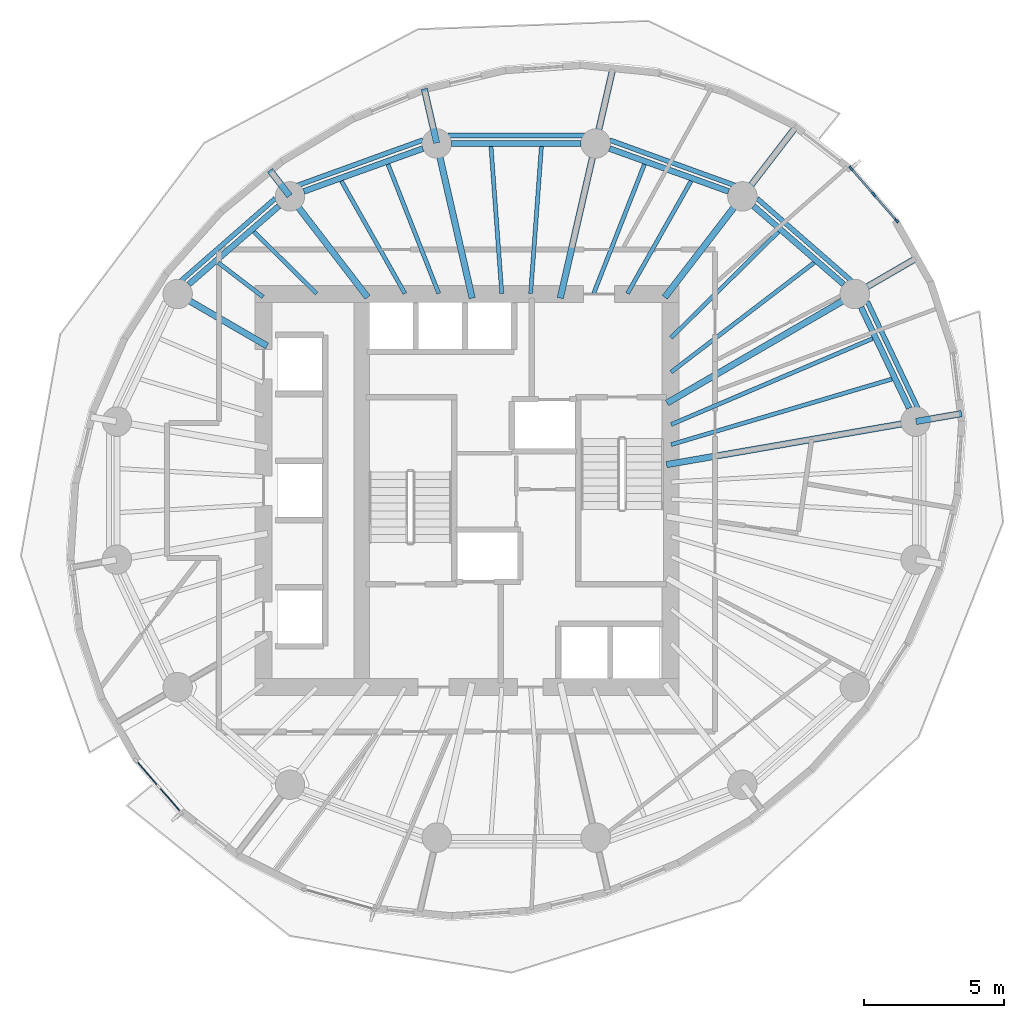
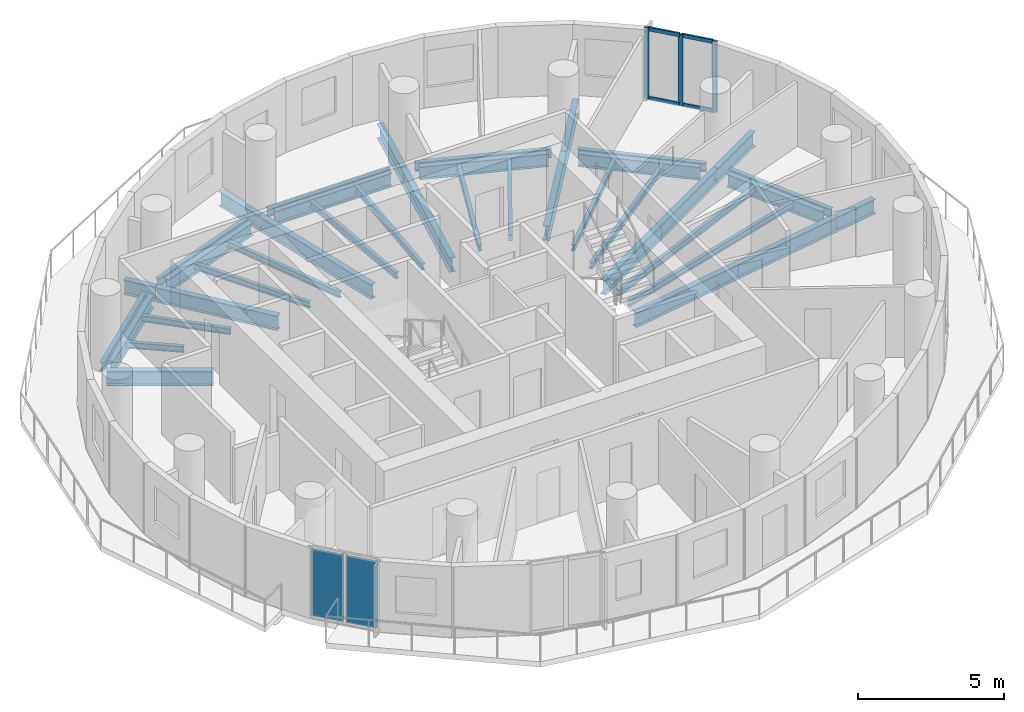
# One storey, part 3 of 12: 37 beams, 7 members, 2 plates, 2 elements without a shape of their own.
"""IFC4 building model written with IfcOpenShell, lengths in metres."""

from ifc_helpers import new_model, si_unit, direction, frame, origin, origin_2d, place, context, subcontext, project, spatial, rectangle, i_section, extrude, material, layer, layer_set, material_profile, profile_set, type_object, element, aggregate, save


model = new_model("IFC4")

# Units and contexts
model_context = context("Model", 3, precision=1e-05, world=origin(), true_north=direction((0.0, 1.0)))
body_context = subcontext(model_context, "Body", "Model", "MODEL_VIEW")
ifc_project = project(units=[si_unit("LENGTHUNIT", "METRE"), si_unit("AREAUNIT", "SQUARE_METRE"), si_unit("VOLUMEUNIT", "CUBIC_METRE"), si_unit("PLANEANGLEUNIT", "RADIAN"), si_unit("MASSUNIT", "GRAM", prefix="KILO")], contexts=[model_context])

# Site, building, storey
site_placement = place(None, origin())
site = spatial("IfcSite", under=ifc_project, at=site_placement, CompositionType="ELEMENT")
building_placement = place(site_placement, origin())
building = spatial("IfcBuilding", under=site, at=building_placement, Name="Veldorim Arch Residences", CompositionType="ELEMENT")
storey_placement = place(building_placement, frame((0.0, 0.0, 142.56005859375)))
storey = spatial("IfcBuildingStorey", under=building, at=storey_placement, Name="L42", CompositionType="ELEMENT", Elevation=142.56005859375)

# Beams
ifc_material_1 = material(Name="Steel S355", Category="steel")
ifc_material_profile_1 = material_profile(ifc_material_1, i_section(OverallWidth=0.2099609375, OverallDepth=0.53662109375, WebThickness=0.0107421875, FlangeThickness=0.017333984375, at=origin_2d()), Name="UB533x210x101")
ifc_profile_set_1 = profile_set([ifc_material_profile_1], Name="Steel S355")
beam_type_1 = type_object("IfcBeamType", Name="Structural Steel Beam UB533x210x101", PredefinedType="BEAM", material=ifc_profile_set_1)
beam_1_placement = place(storey_placement, frame((45.99560546875, 26.931884765625, -0.508544921875), z_axis=(-0.43028577851, 0.902692721147, 0.0), x_axis=(-0.902692721147, -0.43028577851, 0.0)))
element("IfcBeam", 1, at=beam_1_placement, inside=storey, type_object=beam_type_1, Name="L42 perimeter ring tie beam 01", PredefinedType="BEAM", context=body_context, shape_type="SweptSolid", body=[
    extrude(i_section(OverallWidth=0.2099609375, OverallDepth=0.53662109375, WebThickness=0.0107421875, FlangeThickness=0.017333984375, at=origin_2d()), origin(), (0.0, 0.0, 1.0), 3.98193359375),
])
beam_2_placement = place(storey_placement, frame((43.659912109375, 31.344482421875, -0.508544921875), z_axis=(-0.754810789581, 0.655942582802, 0.0), x_axis=(-0.655942582802, -0.754810789581, 0.0)))
element("IfcBeam", 2, at=beam_2_placement, inside=storey, type_object=beam_type_1, Name="L42 perimeter ring tie beam 02", PredefinedType="BEAM", context=body_context, shape_type="SweptSolid", body=[
    extrude(i_section(OverallWidth=0.2099609375, OverallDepth=0.53662109375, WebThickness=0.0107421875, FlangeThickness=0.017333984375, at=origin_2d()), origin(), (0.0, 0.0, 1.0), 4.249755859375),
])
beam_3_placement = place(storey_placement, frame((39.561767578125, 34.654296875, -0.508544921875), z_axis=(-0.940899155006, 0.338686846673, 0.0), x_axis=(-0.338686846673, -0.940899155006, 0.0)))
element("IfcBeam", 3, at=beam_3_placement, inside=storey, type_object=beam_type_1, Name="L42 perimeter ring tie beam 03", PredefinedType="BEAM", context=body_context, shape_type="SweptSolid", body=[
    extrude(i_section(OverallWidth=0.2099609375, OverallDepth=0.53662109375, WebThickness=0.0107421875, FlangeThickness=0.017333984375, at=origin_2d()), origin(), (0.0, 0.0, 1.0), 4.50537109375),
])
beam_4_placement = place(storey_placement, frame((34.3037109375, 36.35791015625, -0.508544921875), z_axis=(-1.0, 0.0, 0.0), x_axis=(0.0, -1.0, 0.0)))
element("IfcBeam", 4, at=beam_4_placement, inside=storey, type_object=beam_type_1, Name="L42 perimeter ring tie beam 04", PredefinedType="BEAM", context=body_context, shape_type="SweptSolid", body=[
    extrude(i_section(OverallWidth=0.2099609375, OverallDepth=0.53662109375, WebThickness=0.0107421875, FlangeThickness=0.017333984375, at=origin_2d()), origin(), (0.0, 0.0, 1.0), 4.607421875),
])
beam_5_placement = place(storey_placement, frame((28.67724609375, 36.18017578125, -0.508544921875), z_axis=(-0.940899155006, -0.338686846673, 0.0), x_axis=(0.338686846673, -0.940899155006, 0.0)))
element("IfcBeam", 5, at=beam_5_placement, inside=storey, type_object=beam_type_1, Name="L42 perimeter ring tie beam 05", PredefinedType="BEAM", context=body_context, shape_type="SweptSolid", body=[
    extrude(i_section(OverallWidth=0.2099609375, OverallDepth=0.53662109375, WebThickness=0.0107421875, FlangeThickness=0.017333984375, at=origin_2d()), origin(), (0.0, 0.0, 1.0), 4.50537109375),
])
beam_6_placement = place(storey_placement, frame((23.5478515625, 34.132080078125, -0.508544921875), z_axis=(-0.754810789581, -0.655942582802, 0.0), x_axis=(0.655942582802, -0.754810789581, 0.0)))
element("IfcBeam", 6, at=beam_6_placement, inside=storey, type_object=beam_type_1, Name="L42 perimeter ring tie beam 06", PredefinedType="BEAM", context=body_context, shape_type="SweptSolid", body=[
    extrude(i_section(OverallWidth=0.2099609375, OverallDepth=0.53662109375, WebThickness=0.0107421875, FlangeThickness=0.017333984375, at=origin_2d()), origin(), (0.0, 0.0, 1.0), 4.249755859375),
])
ifc_material_2 = material(Name="Steel S355", Category="steel")
ifc_material_profile_2 = material_profile(ifc_material_2, i_section(OverallWidth=0.22900390625, OverallDepth=0.6123046875, WebThickness=0.011962890625, FlangeThickness=0.01953125, at=origin_2d()), Name="UB610x229x125")
ifc_profile_set_2 = profile_set([ifc_material_profile_2], Name="Steel S355")
beam_type_2 = type_object("IfcBeamType", Name="Structural Steel Beam UB610x229x125", PredefinedType="BEAM", material=ifc_profile_set_2)
beam_7_placement = place(storey_placement, frame((37.352294921875, 24.925048828125, -0.546142578125), z_axis=(0.985389398766, 0.170316566427, 0.0), x_axis=(-0.170316566427, 0.985389398766, 0.0)))
element("IfcBeam", 7, at=beam_7_placement, inside=storey, type_object=beam_type_2, Name="L42 radial floor girder 01", PredefinedType="BEAM", context=body_context, shape_type="SweptSolid", body=[
    extrude(i_section(OverallWidth=0.22900390625, OverallDepth=0.6123046875, WebThickness=0.011962890625, FlangeThickness=0.01953125, at=origin_2d()), origin(), (0.0, 0.0, 1.0), 8.98046875),
])
beam_8_placement = place(storey_placement, frame((46.2412109375, 26.46142578125, -0.546142578125), z_axis=(0.985387945346, 0.170324975168, 0.0), x_axis=(-0.170324975168, 0.985387945346, 0.0)))
element("IfcBeam", 8, at=beam_8_placement, inside=storey, type_object=beam_type_2, Name="L42 radial edge cantilever girder 01", PredefinedType="BEAM", context=body_context, shape_type="SweptSolid", body=[
    extrude(i_section(OverallWidth=0.22900390625, OverallDepth=0.6123046875, WebThickness=0.011962890625, FlangeThickness=0.01953125, at=origin_2d()), origin(), (0.0, 0.0, 1.0), 1.642578125),
])
beam_9_placement = place(storey_placement, frame((37.370361328125, 27.1181640625, -0.546142578125), z_axis=(0.864793381443, 0.502127879542, 0.0), x_axis=(-0.502127879542, 0.864793381443, 0.0)))
element("IfcBeam", 9, at=beam_9_placement, inside=storey, type_object=beam_type_2, Name="L42 radial floor girder 02", PredefinedType="BEAM", context=body_context, shape_type="SweptSolid", body=[
    extrude(i_section(OverallWidth=0.22900390625, OverallDepth=0.6123046875, WebThickness=0.011962890625, FlangeThickness=0.01953125, at=origin_2d()), origin(), (0.0, 0.0, 1.0), 7.71142578125),
])
beam_10_placement = place(storey_placement, frame((44.073486328125, 31.01025390625, -0.546142578125), z_axis=(0.864771551205, 0.502165474946, 0.0), x_axis=(-0.502165474946, 0.864771551205, 0.0)))
element("IfcBeam", 10, at=beam_10_placement, inside=storey, type_object=beam_type_2, Name="L42 radial edge cantilever girder 02", PredefinedType="BEAM", context=body_context, shape_type="SweptSolid", body=[
    extrude(i_section(OverallWidth=0.22900390625, OverallDepth=0.6123046875, WebThickness=0.011962890625, FlangeThickness=0.01953125, at=origin_2d()), origin(), (0.0, 0.0, 1.0), 2.555908203125),
])
beam_11_placement = place(storey_placement, frame((37.291259765625, 30.881103515625, -0.546142578125), z_axis=(0.609559199361, 0.792740551804, 0.0), x_axis=(-0.792740551804, 0.609559199361, 0.0)))
element("IfcBeam", 11, at=beam_11_placement, inside=storey, type_object=beam_type_2, Name="L42 radial floor girder 03", PredefinedType="BEAM", context=body_context, shape_type="SweptSolid", body=[
    extrude(i_section(OverallWidth=0.22900390625, OverallDepth=0.6123046875, WebThickness=0.011962890625, FlangeThickness=0.01953125, at=origin_2d()), origin(), (0.0, 0.0, 1.0), 4.515380859375),
])
beam_12_placement = place(storey_placement, frame((40.068115234375, 34.492431640625, -0.546142578125), z_axis=(0.60954833207, 0.792748907833, 0.0), x_axis=(-0.792748907833, 0.60954833207, 0.0)))
element("IfcBeam", 12, at=beam_12_placement, inside=storey, type_object=beam_type_2, Name="L42 radial edge cantilever girder 03", PredefinedType="BEAM", context=body_context, shape_type="SweptSolid", body=[
    extrude(i_section(OverallWidth=0.22900390625, OverallDepth=0.6123046875, WebThickness=0.011962890625, FlangeThickness=0.01953125, at=origin_2d()), origin(), (0.0, 0.0, 1.0), 3.123779296875),
])
beam_13_placement = place(storey_placement, frame((33.56884765625, 30.853759765625, -0.546142578125), z_axis=(0.223119342184, 0.974791136164, 0.0), x_axis=(-0.974791136164, 0.223119342184, 0.0)))
element("IfcBeam", 13, at=beam_13_placement, inside=storey, type_object=beam_type_2, Name="L42 radial floor girder 04", PredefinedType="BEAM", context=body_context, shape_type="SweptSolid", body=[
    extrude(i_section(OverallWidth=0.22900390625, OverallDepth=0.6123046875, WebThickness=0.011962890625, FlangeThickness=0.01953125, at=origin_2d()), origin(), (0.0, 0.0, 1.0), 5.62646484375),
])
beam_14_placement = place(storey_placement, frame((34.833251953125, 36.37744140625, -0.546142578125), z_axis=(0.223160890879, 0.974781625177, 0.0), x_axis=(-0.974781625177, 0.223160890879, 0.0)))
element("IfcBeam", 14, at=beam_14_placement, inside=storey, type_object=beam_type_2, Name="L42 radial edge cantilever girder 04", PredefinedType="BEAM", context=body_context, shape_type="SweptSolid", body=[
    extrude(i_section(OverallWidth=0.22900390625, OverallDepth=0.6123046875, WebThickness=0.011962890625, FlangeThickness=0.01953125, at=origin_2d()), origin(), (0.0, 0.0, 1.0), 2.76123046875),
])
beam_15_placement = place(storey_placement, frame((30.43115234375, 30.853759765625, -0.546142578125), z_axis=(-0.223119342184, 0.974791136164, 0.0), x_axis=(-0.974791136164, -0.223119342184, 0.0)))
element("IfcBeam", 15, at=beam_15_placement, inside=storey, type_object=beam_type_2, Name="L42 radial floor girder 05", PredefinedType="BEAM", context=body_context, shape_type="SweptSolid", body=[
    extrude(i_section(OverallWidth=0.22900390625, OverallDepth=0.6123046875, WebThickness=0.011962890625, FlangeThickness=0.01953125, at=origin_2d()), origin(), (0.0, 0.0, 1.0), 5.62646484375),
])
beam_16_placement = place(storey_placement, frame((29.166748046875, 36.37744140625, -0.546142578125), z_axis=(-0.223166267833, 0.974780394192, 0.0), x_axis=(-0.974780394192, -0.223166267833, 0.0)))
element("IfcBeam", 16, at=beam_16_placement, inside=storey, type_object=beam_type_2, Name="L42 radial edge cantilever girder 05", PredefinedType="BEAM", context=body_context, shape_type="SweptSolid", body=[
    extrude(i_section(OverallWidth=0.22900390625, OverallDepth=0.6123046875, WebThickness=0.011962890625, FlangeThickness=0.01953125, at=origin_2d()), origin(), (0.0, 0.0, 1.0), 1.980224609375),
])
beam_17_placement = place(storey_placement, frame((26.708740234375, 30.881103515625, -0.546142578125), z_axis=(-0.609559199361, 0.792740551804, 0.0), x_axis=(-0.792740551804, -0.609559199361, 0.0)))
element("IfcBeam", 17, at=beam_17_placement, inside=storey, type_object=beam_type_2, Name="L42 radial floor girder 06", PredefinedType="BEAM", context=body_context, shape_type="SweptSolid", body=[
    extrude(i_section(OverallWidth=0.22900390625, OverallDepth=0.6123046875, WebThickness=0.011962890625, FlangeThickness=0.01953125, at=origin_2d()), origin(), (0.0, 0.0, 1.0), 4.515380859375),
])
beam_18_placement = place(storey_placement, frame((23.931884765625, 34.492431640625, -0.546142578125), z_axis=(-0.609587834317, 0.792718532805, 0.0), x_axis=(-0.792718532805, -0.609587834317, 0.0)))
element("IfcBeam", 18, at=beam_18_placement, inside=storey, type_object=beam_type_2, Name="L42 radial edge cantilever girder 06", PredefinedType="BEAM", context=body_context, shape_type="SweptSolid", body=[
    extrude(i_section(OverallWidth=0.22900390625, OverallDepth=0.6123046875, WebThickness=0.011962890625, FlangeThickness=0.01953125, at=origin_2d()), origin(), (0.0, 0.0, 1.0), 1.15185546875),
])
beam_19_placement = place(storey_placement, frame((23.129638671875, 29.150390625, -0.546142578125), z_axis=(-0.864794546612, 0.502125872815, 0.0), x_axis=(-0.502125872815, -0.864794546612, 0.0)))
element("IfcBeam", 19, at=beam_19_placement, inside=storey, type_object=beam_type_2, Name="L42 radial floor girder 07", PredefinedType="BEAM", context=body_context, shape_type="SweptSolid", body=[
    extrude(i_section(OverallWidth=0.22900390625, OverallDepth=0.6123046875, WebThickness=0.011962890625, FlangeThickness=0.01953125, at=origin_2d()), origin(), (0.0, 0.0, 1.0), 3.6640625),
])
ifc_material_3 = material(Name="Steel S355", Category="steel")
ifc_material_profile_3 = material_profile(ifc_material_3, i_section(OverallWidth=0.146484375, OverallDepth=0.256103515625, WebThickness=0.00634765625, FlangeThickness=0.010986328125, at=origin_2d()), Name="UB254x146x37")
ifc_profile_set_3 = profile_set([ifc_material_profile_3], Name="Steel S355")
beam_type_3 = type_object("IfcBeamType", Name="Structural Steel Joist UB254x146x37", PredefinedType="JOIST", material=ifc_profile_set_3)
beam_20_placement = place(storey_placement, frame((37.519287109375, 25.63818359375, -0.3681640625), z_axis=(0.958674276305, 0.284505943614, 0.0), x_axis=(-0.284505943614, 0.958674276305, 0.0)))
element("IfcBeam", 20, at=beam_20_placement, inside=storey, type_object=beam_type_3, Name="L42 secondary radial floor joist 01-1", PredefinedType="JOIST", context=body_context, shape_type="SweptSolid", body=[
    extrude(i_section(OverallWidth=0.146484375, OverallDepth=0.256103515625, WebThickness=0.00634765625, FlangeThickness=0.010986328125, at=origin_2d()), origin(), (0.0, 0.0, 1.0), 8.2001953125),
])
beam_21_placement = place(storey_placement, frame((37.518310546875, 26.353515625, -0.3681640625), z_axis=(0.919831795434, 0.39231297214, 0.0), x_axis=(-0.39231297214, 0.919831795434, 0.0)))
element("IfcBeam", 21, at=beam_21_placement, inside=storey, type_object=beam_type_3, Name="L42 secondary radial floor joist 01-2", PredefinedType="JOIST", context=body_context, shape_type="SweptSolid", body=[
    extrude(i_section(OverallWidth=0.146484375, OverallDepth=0.256103515625, WebThickness=0.00634765625, FlangeThickness=0.010986328125, at=origin_2d()), origin(), (0.0, 0.0, 1.0), 7.798828125),
])
beam_22_placement = place(storey_placement, frame((37.515869140625, 28.219482421875, -0.3681640625), z_axis=(0.794267053144, 0.607568801281, 0.0), x_axis=(-0.607568801281, 0.794267053144, 0.0)))
element("IfcBeam", 22, at=beam_22_placement, inside=storey, type_object=beam_type_3, Name="L42 secondary radial floor joist 02-1", PredefinedType="JOIST", context=body_context, shape_type="SweptSolid", body=[
    extrude(i_section(OverallWidth=0.146484375, OverallDepth=0.256103515625, WebThickness=0.00634765625, FlangeThickness=0.010986328125, at=origin_2d()), origin(), (0.0, 0.0, 1.0), 6.412841796875),
])
beam_23_placement = place(storey_placement, frame((37.51416015625, 29.443115234375, -0.3681640625), z_axis=(0.711703457158, 0.702480027523, 0.0), x_axis=(-0.702480027523, 0.711703457158, 0.0)))
element("IfcBeam", 23, at=beam_23_placement, inside=storey, type_object=beam_type_3, Name="L42 secondary radial floor joist 02-2", PredefinedType="JOIST", context=body_context, shape_type="SweptSolid", body=[
    extrude(i_section(OverallWidth=0.146484375, OverallDepth=0.256103515625, WebThickness=0.00634765625, FlangeThickness=0.010986328125, at=origin_2d()), origin(), (0.0, 0.0, 1.0), 5.373291015625),
])
beam_24_placement = place(storey_placement, frame((35.96337890625, 31.017333984375, -0.3681640625), z_axis=(0.491815801586, 0.870699269157, 0.0), x_axis=(-0.870699269157, 0.491815801586, 0.0)))
element("IfcBeam", 24, at=beam_24_placement, inside=storey, type_object=beam_type_3, Name="L42 secondary radial floor joist 03-1", PredefinedType="JOIST", context=body_context, shape_type="SweptSolid", body=[
    extrude(i_section(OverallWidth=0.146484375, OverallDepth=0.256103515625, WebThickness=0.00634765625, FlangeThickness=0.010986328125, at=origin_2d()), origin(), (0.0, 0.0, 1.0), 4.59814453125),
])
beam_25_placement = place(storey_placement, frame((34.7587890625, 31.0185546875, -0.3681640625), z_axis=(0.365777738491, 0.930702232739, 0.0), x_axis=(-0.930702232739, 0.365777738491, 0.0)))
element("IfcBeam", 25, at=beam_25_placement, inside=storey, type_object=beam_type_3, Name="L42 secondary radial floor joist 03-2", PredefinedType="JOIST", context=body_context, shape_type="SweptSolid", body=[
    extrude(i_section(OverallWidth=0.146484375, OverallDepth=0.256103515625, WebThickness=0.00634765625, FlangeThickness=0.010986328125, at=origin_2d()), origin(), (0.0, 0.0, 1.0), 4.9404296875),
])
for number, where, z_axis, x_axis, name in (
    (26, (32.51416015625, 31.02001953125, -0.3681640625), (0.073060364166, 0.997327520521, 0.0), (-0.997327520521, 0.073060364166, 0.0), "L42 secondary radial floor joist 04-1"),
    (27, (31.48583984375, 31.02001953125, -0.3681640625), (-0.073060364166, 0.997327520521, 0.0), (-0.997327520521, -0.073060364166, 0.0), "L42 secondary radial floor joist 04-2"),
):
    element("IfcBeam", number, at=place(storey_placement, frame(where, z_axis=z_axis, x_axis=x_axis)), inside=storey, type_object=beam_type_3, Name=name, PredefinedType="JOIST", context=body_context, shape_type="SweptSolid", body=[
        extrude(i_section(OverallWidth=0.146484375, OverallDepth=0.256103515625, WebThickness=0.00634765625, FlangeThickness=0.010986328125, at=origin_2d()), origin(), (0.0, 0.0, 1.0), 5.242919921875),
    ])
beam_26_placement = place(storey_placement, frame((29.2412109375, 31.0185546875, -0.3681640625), z_axis=(-0.365777738491, 0.930702232739, 0.0), x_axis=(-0.930702232739, -0.365777738491, 0.0)))
element("IfcBeam", 28, at=beam_26_placement, inside=storey, type_object=beam_type_3, Name="L42 secondary radial floor joist 05-1", PredefinedType="JOIST", context=body_context, shape_type="SweptSolid", body=[
    extrude(i_section(OverallWidth=0.146484375, OverallDepth=0.256103515625, WebThickness=0.00634765625, FlangeThickness=0.010986328125, at=origin_2d()), origin(), (0.0, 0.0, 1.0), 4.9404296875),
])
beam_27_placement = place(storey_placement, frame((28.03662109375, 31.017333984375, -0.3681640625), z_axis=(-0.491815801586, 0.870699269157, 0.0), x_axis=(-0.870699269157, -0.491815801586, 0.0)))
element("IfcBeam", 29, at=beam_27_placement, inside=storey, type_object=beam_type_3, Name="L42 secondary radial floor joist 05-2", PredefinedType="JOIST", context=body_context, shape_type="SweptSolid", body=[
    extrude(i_section(OverallWidth=0.146484375, OverallDepth=0.256103515625, WebThickness=0.00634765625, FlangeThickness=0.010986328125, at=origin_2d()), origin(), (0.0, 0.0, 1.0), 4.59814453125),
])
beam_28_placement = place(storey_placement, frame((24.894287109375, 31.013916015625, -0.3681640625), z_axis=(-0.711683379532, 0.702500368183, 0.0), x_axis=(-0.702500368183, -0.711683379532, 0.0)))
element("IfcBeam", 30, at=beam_28_placement, inside=storey, type_object=beam_type_3, Name="L42 secondary radial floor joist 06-1", PredefinedType="JOIST", context=body_context, shape_type="SweptSolid", body=[
    extrude(i_section(OverallWidth=0.146484375, OverallDepth=0.256103515625, WebThickness=0.00634765625, FlangeThickness=0.010986328125, at=origin_2d()), origin(), (0.0, 0.0, 1.0), 3.13720703125),
])
beam_29_placement = place(storey_placement, frame((22.984130859375, 30.89697265625, -0.3681640625), z_axis=(-0.794312925337, 0.607508828448, 0.0), x_axis=(-0.607508828448, -0.794312925337, 0.0)))
element("IfcBeam", 31, at=beam_29_placement, inside=storey, type_object=beam_type_3, Name="L42 secondary radial floor joist 06-2", PredefinedType="JOIST", context=body_context, shape_type="SweptSolid", body=[
    extrude(i_section(OverallWidth=0.146484375, OverallDepth=0.256103515625, WebThickness=0.00634765625, FlangeThickness=0.010986328125, at=origin_2d()), origin(), (0.0, 0.0, 1.0), 2.006103515625),
])
ifc_material_4 = material(Name="Steel S355", Category="steel")
ifc_material_profile_4 = material_profile(ifc_material_4, i_section(OverallWidth=0.172119140625, OverallDepth=0.35791015625, WebThickness=0.008056640625, FlangeThickness=0.012939453125, at=origin_2d()), Name="UB356x171x57")
ifc_profile_set_4 = profile_set([ifc_material_profile_4], Name="Steel S355")
beam_type_4 = type_object("IfcBeamType", Name="Structural Steel Spandrel UB356x171x57", PredefinedType="SPANDREL", material=ifc_profile_set_4)
beam_30_placement = place(storey_placement, frame((46.307861328125, 26.9248046875, -0.43896484375), z_axis=(-0.428579957662, 0.903503857153, 0.0), x_axis=(-0.903503857153, -0.428579957662, 0.0)))
element("IfcBeam", 32, at=beam_30_placement, inside=storey, type_object=beam_type_4, Name="L42 perimeter chord spandrel beam 01", PredefinedType="SPANDREL", context=body_context, shape_type="SweptSolid", body=[
    extrude(i_section(OverallWidth=0.172119140625, OverallDepth=0.35791015625, WebThickness=0.008056640625, FlangeThickness=0.012939453125, at=origin_2d()), origin(), (0.0, 0.0, 1.0), 4.209228515625),
])
beam_31_placement = place(storey_placement, frame((43.9580078125, 31.44921875, -0.43896484375), z_axis=(-0.753014748982, 0.658003638148, 0.0), x_axis=(-0.658003638148, -0.753014748982, 0.0)))
element("IfcBeam", 33, at=beam_31_placement, inside=storey, type_object=beam_type_4, Name="L42 perimeter chord spandrel beam 02", PredefinedType="SPANDREL", context=body_context, shape_type="SweptSolid", body=[
    extrude(i_section(OverallWidth=0.172119140625, OverallDepth=0.35791015625, WebThickness=0.008056640625, FlangeThickness=0.012939453125, at=origin_2d()), origin(), (0.0, 0.0, 1.0), 4.486572265625),
])
beam_32_placement = place(storey_placement, frame((39.79736328125, 34.86279296875, -0.43896484375), z_axis=(-0.940212553113, 0.340588248429, 0.0), x_axis=(-0.340588248429, -0.940212553113, 0.0)))
element("IfcBeam", 34, at=beam_32_placement, inside=storey, type_object=beam_type_4, Name="L42 perimeter chord spandrel beam 03", PredefinedType="SPANDREL", context=body_context, shape_type="SweptSolid", body=[
    extrude(i_section(OverallWidth=0.172119140625, OverallDepth=0.35791015625, WebThickness=0.008056640625, FlangeThickness=0.012939453125, at=origin_2d()), origin(), (0.0, 0.0, 1.0), 4.75390625),
])
beam_33_placement = place(storey_placement, frame((34.43115234375, 36.639404296875, -0.43896484375), z_axis=(-1.0, 0.0, 0.0), x_axis=(0.0, -1.0, 0.0)))
element("IfcBeam", 35, at=beam_33_placement, inside=storey, type_object=beam_type_4, Name="L42 perimeter chord spandrel beam 04", PredefinedType="SPANDREL", context=body_context, shape_type="SweptSolid", body=[
    extrude(i_section(OverallWidth=0.172119140625, OverallDepth=0.35791015625, WebThickness=0.008056640625, FlangeThickness=0.012939453125, at=origin_2d()), origin(), (0.0, 0.0, 1.0), 4.8623046875),
])
beam_34_placement = place(storey_placement, frame((28.67236328125, 36.48193359375, -0.43896484375), z_axis=(-0.940212553113, -0.340588248429, 0.0), x_axis=(0.340588248429, -0.940212553113, 0.0)))
element("IfcBeam", 36, at=beam_34_placement, inside=storey, type_object=beam_type_4, Name="L42 perimeter chord spandrel beam 05", PredefinedType="SPANDREL", context=body_context, shape_type="SweptSolid", body=[
    extrude(i_section(OverallWidth=0.172119140625, OverallDepth=0.35791015625, WebThickness=0.008056640625, FlangeThickness=0.012939453125, at=origin_2d()), origin(), (0.0, 0.0, 1.0), 4.75390625),
])
beam_35_placement = place(storey_placement, frame((23.42041015625, 34.4013671875, -0.43896484375), z_axis=(-0.753014748982, -0.658003638148, 0.0), x_axis=(0.658003638148, -0.753014748982, 0.0)))
element("IfcBeam", 37, at=beam_35_placement, inside=storey, type_object=beam_type_4, Name="L42 perimeter chord spandrel beam 06", PredefinedType="SPANDREL", context=body_context, shape_type="SweptSolid", body=[
    extrude(i_section(OverallWidth=0.172119140625, OverallDepth=0.35791015625, WebThickness=0.008056640625, FlangeThickness=0.012939453125, at=origin_2d()), origin(), (0.0, 0.0, 1.0), 4.486572265625),
])

# Curtain wall, members
ifc_material_5 = material(Name="Aluminium", Category="aluminium")
curtain_wall_type = type_object("IfcCurtainWallType", Name="Zone 3 High-Wind Unitised Curtain Wall", PredefinedType="NOTDEFINED", material=ifc_material_5)
curtain_wall_1_placement = place(storey_placement, origin())
curtain_wall_1 = element("IfcCurtainWall", 38, at=curtain_wall_1_placement, inside=storey, type_object=curtain_wall_type, Name="L42 unitised curtain wall bay 01", PredefinedType="NOTDEFINED")
ifc_material_6 = material(Name="Aluminium", Category="aluminium")
ifc_material_profile_5 = material_profile(ifc_material_6, rectangle(XDim=0.070068359375, YDim=0.179931640625, at=origin_2d()), Name="ALU_MUL_70x180")
ifc_profile_set_5 = profile_set([ifc_material_profile_5], Name="Aluminium")
member_type_1 = type_object("IfcMemberType", Name="Zone 3 High-Wind Unitised Curtain Wall Mullion 70x180", PredefinedType="MULLION", material=ifc_profile_set_5)
member_1_placement = place(storey_placement, frame((43.924560546875, 35.4716796875, 0.0), z_axis=(0.0, 0.0, 1.0), x_axis=(0.754399890607, 0.65641511641, 0.0)))
member_1 = element("IfcMember", 39, at=member_1_placement, type_object=member_type_1, Name="CW-Z3 mullion 1", PredefinedType="MULLION", context=body_context, shape_type="SweptSolid", body=[
    extrude(rectangle(XDim=0.070068359375, YDim=0.179931640625, at=origin_2d()), origin(), (0.0, 0.0, 1.0), 2.9599609375),
])
member_2_placement = place(storey_placement, frame((44.7333984375, 34.542236328125, 0.0), z_axis=(0.0, 0.0, 1.0), x_axis=(0.754399890607, 0.65641511641, 0.0)))
member_2 = element("IfcMember", 40, at=member_2_placement, type_object=member_type_1, Name="CW-Z3 mullion 2", PredefinedType="MULLION", context=body_context, shape_type="SweptSolid", body=[
    extrude(rectangle(XDim=0.070068359375, YDim=0.179931640625, at=origin_2d()), origin(), (0.0, 0.0, 1.0), 2.9599609375),
])
member_3_placement = place(storey_placement, frame((45.5419921875, 33.61279296875, 0.0), z_axis=(0.0, 0.0, 1.0), x_axis=(0.754399890607, 0.65641511641, 0.0)))
member_3 = element("IfcMember", 41, at=member_3_placement, type_object=member_type_1, Name="CW-Z3 mullion 3", PredefinedType="MULLION", context=body_context, shape_type="SweptSolid", body=[
    extrude(rectangle(XDim=0.070068359375, YDim=0.179931640625, at=origin_2d()), origin(), (0.0, 0.0, 1.0), 2.9599609375),
])
ifc_material_7 = material(Name="Aluminium", Category="aluminium")
ifc_material_profile_6 = material_profile(ifc_material_7, rectangle(XDim=0.070068359375, YDim=0.155029296875, at=origin_2d()), Name="ALU_TRN_70x155")
ifc_profile_set_6 = profile_set([ifc_material_profile_6], Name="Aluminium")
member_type_2 = type_object("IfcMemberType", Name="Zone 3 High-Wind Unitised Curtain Wall Transom 70x155", PredefinedType="USERDEFINED", material=ifc_profile_set_6)
member_4_placement = place(storey_placement, frame((43.947509765625, 35.4453125, 0.034912109375), z_axis=(0.656345148791, -0.754460764824, 0.0), x_axis=(0.754460764824, 0.656345148791, 0.0)))
member_4 = element("IfcMember", 42, at=member_4_placement, type_object=member_type_2, Name="CW-Z3 transom 1.1", ObjectType="TRANSOM", PredefinedType="USERDEFINED", context=body_context, shape_type="SweptSolid", body=[
    extrude(rectangle(XDim=0.070068359375, YDim=0.155029296875, at=origin_2d()), origin(), (0.0, 0.0, 1.0), 1.162109375),
])
member_5_placement = place(storey_placement, frame((43.947509765625, 35.4453125, 2.925048828125), z_axis=(0.656345148791, -0.754460764824, 0.0), x_axis=(0.754460764824, 0.656345148791, 0.0)))
member_5 = element("IfcMember", 43, at=member_5_placement, type_object=member_type_2, Name="CW-Z3 transom 1.2", ObjectType="TRANSOM", PredefinedType="USERDEFINED", context=body_context, shape_type="SweptSolid", body=[
    extrude(rectangle(XDim=0.070068359375, YDim=0.155029296875, at=origin_2d()), origin(), (0.0, 0.0, 1.0), 1.162109375),
])
member_6_placement = place(storey_placement, frame((44.75634765625, 34.515869140625, 0.034912109375), z_axis=(0.656345148791, -0.754460764824, 0.0), x_axis=(0.754460764824, 0.656345148791, 0.0)))
member_6 = element("IfcMember", 44, at=member_6_placement, type_object=member_type_2, Name="CW-Z3 transom 2.1", ObjectType="TRANSOM", PredefinedType="USERDEFINED", context=body_context, shape_type="SweptSolid", body=[
    extrude(rectangle(XDim=0.070068359375, YDim=0.155029296875, at=origin_2d()), origin(), (0.0, 0.0, 1.0), 1.162109375),
])
member_7_placement = place(storey_placement, frame((44.75634765625, 34.515869140625, 2.925048828125), z_axis=(0.656345148791, -0.754460764824, 0.0), x_axis=(0.754460764824, 0.656345148791, 0.0)))
member_7 = element("IfcMember", 45, at=member_7_placement, type_object=member_type_2, Name="CW-Z3 transom 2.2", ObjectType="TRANSOM", PredefinedType="USERDEFINED", context=body_context, shape_type="SweptSolid", body=[
    extrude(rectangle(XDim=0.070068359375, YDim=0.155029296875, at=origin_2d()), origin(), (0.0, 0.0, 1.0), 1.162109375),
])
aggregate(curtain_wall_1, [member_1, member_2, member_3, member_4, member_5, member_6, member_7])

# Curtain wall, plates
curtain_wall_2_placement = place(storey_placement, origin())
curtain_wall_2 = element("IfcCurtainWall", 46, at=curtain_wall_2_placement, inside=storey, type_object=curtain_wall_type, Name="L42 unitised curtain wall bay 19", PredefinedType="NOTDEFINED")
ifc_material_8 = material(Name="Laminated Low-E Glass", Category="glass")
ifc_layer = layer(ifc_material_8, 0.028076171875, Name="Zone 3 High-Wind Unitised Curtain Wall Glazing Panel 28")
ifc_layer_set = layer_set([ifc_layer], Name="Laminated Low-E Glass")
plate_type = type_object("IfcPlateType", Name="Zone 3 High-Wind Unitised Curtain Wall Glazing Panel 28", PredefinedType="CURTAIN_PANEL", material=ifc_layer_set)
plate_1_placement = place(storey_placement, frame((19.671142578125, 12.992919921875, 0.06982421875), z_axis=(0.0, 0.0, 1.0), x_axis=(-0.65641511641, 0.754399890607, 0.0)))
plate_1 = element("IfcPlate", 47, at=plate_1_placement, type_object=plate_type, Name="CW-Z3 panel 1.1", PredefinedType="CURTAIN_PANEL", context=body_context, shape_type="SweptSolid", body=[
    extrude(rectangle(XDim=1.162109375, YDim=0.028076171875, at=origin_2d()), origin(), (0.0, 0.0, 1.0), 2.820068359375),
])
plate_2_placement = place(storey_placement, frame((18.8623046875, 13.92236328125, 0.06982421875), z_axis=(0.0, 0.0, 1.0), x_axis=(-0.65641511641, 0.754399890607, 0.0)))
plate_2 = element("IfcPlate", 48, at=plate_2_placement, type_object=plate_type, Name="CW-Z3 panel 2.1", PredefinedType="CURTAIN_PANEL", context=body_context, shape_type="SweptSolid", body=[
    extrude(rectangle(XDim=1.162109375, YDim=0.028076171875, at=origin_2d()), origin(), (0.0, 0.0, 1.0), 2.820068359375),
])
aggregate(curtain_wall_2, [plate_1, plate_2])

save(model, "model.ifc")
